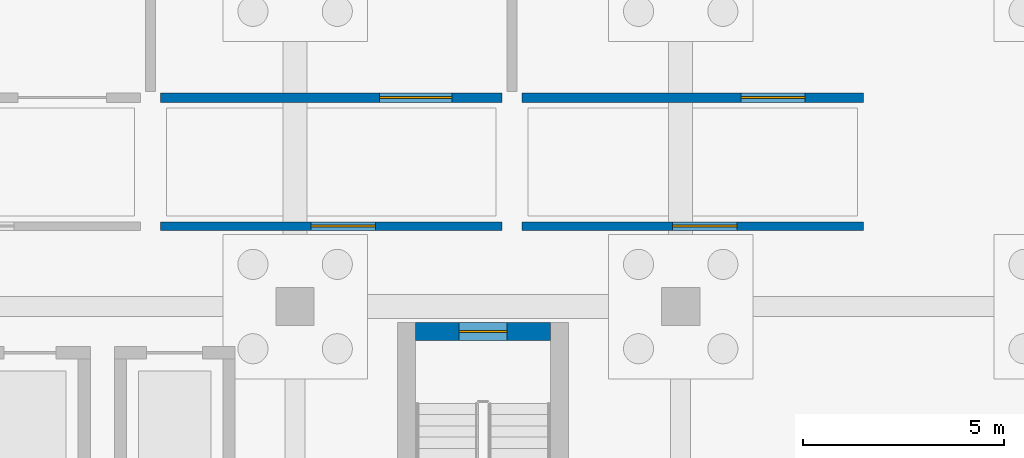
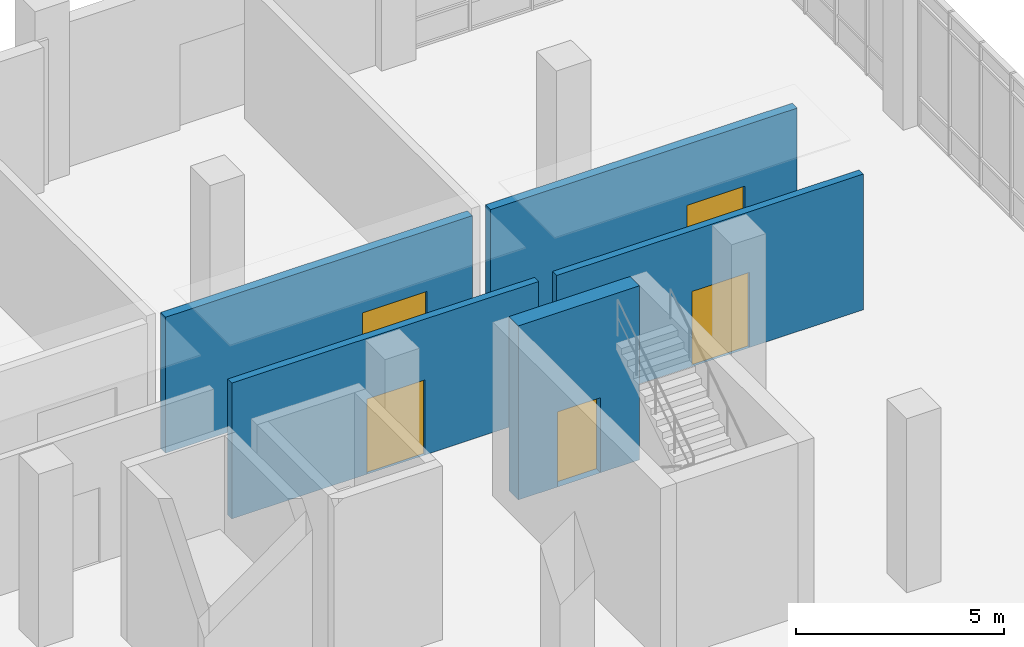
# One storey, part 117 of 136: 5 doors, 5 walls, 5 openings.
"""IFC4 building model written with IfcOpenShell, lengths in metres."""

from ifc_helpers import new_model, si_unit, direction, frame, frame_2d, origin, place, context, subcontext, project, spatial, rectangle, extrude, material, layer, layer_set, type_object, element, fill, save


model = new_model("IFC4")

# Units and contexts
model_context = context("Model", 3, precision=1e-05, world=origin(), true_north=direction((0.0, 1.0)))
body_context = subcontext(model_context, "Body", "Model", "MODEL_VIEW")
ifc_project = project(units=[si_unit("LENGTHUNIT", "METRE"), si_unit("AREAUNIT", "SQUARE_METRE"), si_unit("VOLUMEUNIT", "CUBIC_METRE"), si_unit("PLANEANGLEUNIT", "RADIAN"), si_unit("MASSUNIT", "GRAM", prefix="KILO")], contexts=[model_context])

# Site, building, storey
site_placement = place(None, origin())
site = spatial("IfcSite", under=ifc_project, at=site_placement, CompositionType="ELEMENT")
building_placement = place(site_placement, origin())
building = spatial("IfcBuilding", under=site, at=building_placement, Name="Oolite Switchyard Hospital", CompositionType="ELEMENT")
storey_placement = place(building_placement, origin())
storey = spatial("IfcBuildingStorey", under=building, at=storey_placement, Name="L00", CompositionType="ELEMENT", Elevation=0.0)

# Wall, opening, door
ifc_material_1 = material(Name="Precast concrete C40/50", Category="concrete")
ifc_layer_1 = layer(ifc_material_1, 0.239990234375)
ifc_layer_set_1 = layer_set([ifc_layer_1], Name="WAL-PLANT-240")
wall_type_1 = type_object("IfcWallType", Name="WAL-PLANT-240", PredefinedType="PARTITIONING", material=ifc_layer_set_1)
wall_1_placement = place(storey_placement, frame((188.64990234375, 122.800048828125, 0.0), z_axis=(0.0, 0.0, 1.0), x_axis=(1.0, 0.0, 0.0)))
wall_1 = element("IfcWall", 1, at=wall_1_placement, inside=storey, type_object=wall_type_1, Name="L00 Interior Partition 157", PredefinedType="PARTITIONING", context=body_context, shape_type="SweptSolid", body=[
    extrude(rectangle(XDim=8.5, YDim=0.239990234375, at=frame_2d((4.25, 0.0))), origin(), (0.0, 0.0, 1.0), 3.97998046875),
])
opening_1_placement = place(wall_1_placement, frame((5.449951171875, 0.0, 0.0)))
opening_1 = element("IfcOpeningElement", 2, at=opening_1_placement, cuts=wall_1, Name="Opening D-0097", PredefinedType="OPENING", context=body_context, shape_type="SweptSolid", body=[
    extrude(rectangle(XDim=1.800048828125, YDim=2.199951171875, at=frame_2d((0.89990234375, 1.10009765625))), frame((0.0, 0.1298828125, 0.0), z_axis=(0.0, -1.0, 0.0), x_axis=(1.0, 0.0, 0.0)), (0.0, 0.0, 1.0), 0.260009765625),
])
ifc_material_2 = material(Name="Hollow metal fire-rated steel door assembly", Category="steel")
door_type_1 = type_object("IfcDoorType", Name="DR-DBL-180X220", OperationType="NOTDEFINED", PredefinedType="DOOR", material=ifc_material_2)
door_1_placement = place(opening_1_placement, origin())
door_1 = element("IfcDoor", 3, at=door_1_placement, inside=storey, type_object=door_type_1, Name="L00 Interior Door D-0097", OperationType="DOUBLE_DOOR_SINGLE_SWING", OverallHeight=2.199951171875, OverallWidth=1.800048828125, PredefinedType="DOOR", context=body_context, shape_type="SweptSolid", body=[
    extrude(rectangle(XDim=1.800048828125, YDim=2.199951171875, at=frame_2d((0.89990234375, 1.10009765625))), frame((0.0, 0.02490234375, 0.0), z_axis=(0.0, -1.0, 0.0), x_axis=(1.0, 0.0, 0.0)), (0.0, 0.0, 1.0), 0.050048828125),
])
fill(opening_1, door_1)

wall_2_placement = place(storey_placement, frame((197.64990234375, 122.800048828125, 0.0), z_axis=(0.0, 0.0, 1.0), x_axis=(1.0, 0.0, 0.0)))
wall_2 = element("IfcWall", 4, at=wall_2_placement, inside=storey, type_object=wall_type_1, Name="L00 Interior Partition 160", PredefinedType="PARTITIONING", context=body_context, shape_type="SweptSolid", body=[
    extrude(rectangle(XDim=8.5, YDim=0.239990234375, at=frame_2d((4.25, 0.0))), origin(), (0.0, 0.0, 1.0), 3.97998046875),
])
opening_2_placement = place(wall_2_placement, frame((5.449951171875, 0.0, 0.0)))
opening_2 = element("IfcOpeningElement", 5, at=opening_2_placement, cuts=wall_2, Name="Opening D-0099", PredefinedType="OPENING", context=body_context, shape_type="SweptSolid", body=[
    extrude(rectangle(XDim=1.60009765625, YDim=2.199951171875, at=frame_2d((0.800048828125, 1.10009765625))), frame((0.0, 0.1298828125, 0.0), z_axis=(0.0, -1.0, 0.0), x_axis=(1.0, 0.0, 0.0)), (0.0, 0.0, 1.0), 0.260009765625),
])
door_type_2 = type_object("IfcDoorType", Name="DR-DBL-160X220", OperationType="NOTDEFINED", PredefinedType="DOOR", material=ifc_material_2)
door_2_placement = place(opening_2_placement, origin())
door_2 = element("IfcDoor", 6, at=door_2_placement, inside=storey, type_object=door_type_2, Name="L00 Interior Door D-0099", OperationType="DOUBLE_DOOR_SINGLE_SWING", OverallHeight=2.199951171875, OverallWidth=1.60009765625, PredefinedType="DOOR", context=body_context, shape_type="SweptSolid", body=[
    extrude(rectangle(XDim=1.60009765625, YDim=2.199951171875, at=frame_2d((0.800048828125, 1.10009765625))), frame((0.0, 0.02490234375, 0.0), z_axis=(0.0, -1.0, 0.0), x_axis=(1.0, 0.0, 0.0)), (0.0, 0.0, 1.0), 0.050048828125),
])
fill(opening_2, door_2)

ifc_material_3 = material(Name="Concrete C50/60", Category="concrete")
ifc_layer_2 = layer(ifc_material_3, 0.449951171875)
ifc_layer_set_2 = layer_set([ifc_layer_2], Name="WAL-SHR-450")
wall_type_2 = type_object("IfcWallType", Name="WAL-SHR-450", PredefinedType="SHEAR", material=ifc_layer_set_2)
wall_3_placement = place(storey_placement, frame((198.360107421875, 116.97509765625, 0.0), z_axis=(0.0, 0.0, 1.0), x_axis=(-1.0, 0.0, 0.0)))
wall_3 = element("IfcWall", 7, at=wall_3_placement, inside=storey, type_object=wall_type_2, Name="L00 Core Shear Wall ST-04", PredefinedType="SHEAR", context=body_context, shape_type="SweptSolid", body=[
    extrude(rectangle(XDim=3.360107421875, YDim=0.449951171875, at=frame_2d((1.68017578125, 0.0))), origin(), (0.0, 0.0, 1.0), 5.10009765625),
])
opening_3_placement = place(wall_3_placement, frame((1.080078125, 0.0, 0.0)))
opening_3 = element("IfcOpeningElement", 8, at=opening_3_placement, cuts=wall_3, Name="Opening SD-024", PredefinedType="OPENING", context=body_context, shape_type="SweptSolid", body=[
    extrude(rectangle(XDim=1.199951171875, YDim=2.199951171875, at=frame_2d((0.60009765625, 1.10009765625))), frame((0.0, 0.23486328125, 0.0), z_axis=(0.0, -1.0, 0.0), x_axis=(1.0, 0.0, 0.0)), (0.0, 0.0, 1.0), 0.469970703125),
])
door_type_3 = type_object("IfcDoorType", Name="DR-STR-120X220", OperationType="NOTDEFINED", PredefinedType="DOOR", material=ifc_material_2)
door_3_placement = place(opening_3_placement, origin())
door_3 = element("IfcDoor", 9, at=door_3_placement, inside=storey, type_object=door_type_3, Name="L00 ST-04 Exit Stair Door SD-024", OperationType="SINGLE_SWING_RIGHT", OverallHeight=2.199951171875, OverallWidth=1.199951171875, PredefinedType="DOOR", context=body_context, shape_type="SweptSolid", body=[
    extrude(rectangle(XDim=1.199951171875, YDim=2.199951171875, at=frame_2d((0.60009765625, 1.10009765625))), frame((0.0, 0.02490234375, 0.0), z_axis=(0.0, -1.0, 0.0), x_axis=(1.0, 0.0, 0.0)), (0.0, 0.0, 1.0), 0.050048828125),
])
fill(opening_3, door_3)

ifc_material_4 = material(Name="Moisture-resistant gypsum board on steel studs", Category="steel")
ifc_layer_3 = layer(ifc_material_4, 0.199951171875)
ifc_layer_set_3 = layer_set([ifc_layer_3], Name="WAL-SMK-200")
wall_type_3 = type_object("IfcWallType", Name="WAL-SMK-200", PredefinedType="PARTITIONING", material=ifc_layer_set_3)
wall_4_placement = place(storey_placement, frame((188.64990234375, 119.60009765625, 0.0), z_axis=(0.0, 0.0, 1.0), x_axis=(1.0, 0.0, 0.0)))
wall_4 = element("IfcWall", 10, at=wall_4_placement, inside=storey, type_object=wall_type_3, Name="L00 Interior Partition 156", PredefinedType="PARTITIONING", context=body_context, shape_type="SweptSolid", body=[
    extrude(rectangle(XDim=8.5, YDim=0.199951171875, at=frame_2d((4.25, 0.0))), origin(), (0.0, 0.0, 1.0), 3.97998046875),
])
opening_4_placement = place(wall_4_placement, frame((3.75, 0.0, 0.0)))
opening_4 = element("IfcOpeningElement", 11, at=opening_4_placement, cuts=wall_4, Name="Opening D-0096", PredefinedType="OPENING", context=body_context, shape_type="SweptSolid", body=[
    extrude(rectangle(XDim=1.60009765625, YDim=2.199951171875, at=frame_2d((0.800048828125, 1.10009765625))), frame((0.0, 0.10986328125, 0.0), z_axis=(0.0, -1.0, 0.0), x_axis=(1.0, 0.0, 0.0)), (0.0, 0.0, 1.0), 0.219970703125),
])
door_4_placement = place(opening_4_placement, origin())
door_4 = element("IfcDoor", 12, at=door_4_placement, inside=storey, type_object=door_type_2, Name="L00 Interior Door D-0096", OperationType="DOUBLE_DOOR_SINGLE_SWING", OverallHeight=2.199951171875, OverallWidth=1.60009765625, PredefinedType="DOOR", context=body_context, shape_type="SweptSolid", body=[
    extrude(rectangle(XDim=1.60009765625, YDim=2.199951171875, at=frame_2d((0.800048828125, 1.10009765625))), frame((0.0, 0.02490234375, 0.0), z_axis=(0.0, -1.0, 0.0), x_axis=(1.0, 0.0, 0.0)), (0.0, 0.0, 1.0), 0.050048828125),
])
fill(opening_4, door_4)

wall_5_placement = place(storey_placement, frame((197.64990234375, 119.60009765625, 0.0), z_axis=(0.0, 0.0, 1.0), x_axis=(1.0, 0.0, 0.0)))
wall_5 = element("IfcWall", 13, at=wall_5_placement, inside=storey, type_object=wall_type_3, Name="L00 Interior Partition 159", PredefinedType="PARTITIONING", context=body_context, shape_type="SweptSolid", body=[
    extrude(rectangle(XDim=8.5, YDim=0.199951171875, at=frame_2d((4.25, 0.0))), origin(), (0.0, 0.0, 1.0), 3.97998046875),
])
opening_5_placement = place(wall_5_placement, frame((3.75, 0.0, 0.0)))
opening_5 = element("IfcOpeningElement", 14, at=opening_5_placement, cuts=wall_5, Name="Opening D-0098", PredefinedType="OPENING", context=body_context, shape_type="SweptSolid", body=[
    extrude(rectangle(XDim=1.60009765625, YDim=2.199951171875, at=frame_2d((0.800048828125, 1.10009765625))), frame((0.0, 0.10986328125, 0.0), z_axis=(0.0, -1.0, 0.0), x_axis=(1.0, 0.0, 0.0)), (0.0, 0.0, 1.0), 0.219970703125),
])
door_5_placement = place(opening_5_placement, origin())
door_5 = element("IfcDoor", 15, at=door_5_placement, inside=storey, type_object=door_type_2, Name="L00 Interior Door D-0098", OperationType="DOUBLE_DOOR_SINGLE_SWING", OverallHeight=2.199951171875, OverallWidth=1.60009765625, PredefinedType="DOOR", context=body_context, shape_type="SweptSolid", body=[
    extrude(rectangle(XDim=1.60009765625, YDim=2.199951171875, at=frame_2d((0.800048828125, 1.10009765625))), frame((0.0, 0.02490234375, 0.0), z_axis=(0.0, -1.0, 0.0), x_axis=(1.0, 0.0, 0.0)), (0.0, 0.0, 1.0), 0.050048828125),
])
fill(opening_5, door_5)

save(model, "model.ifc")
